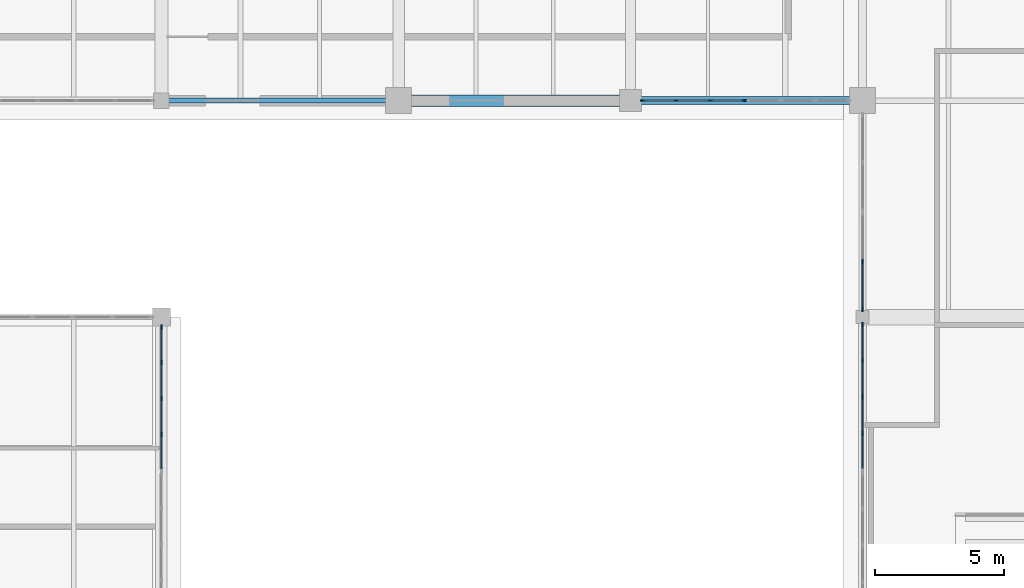
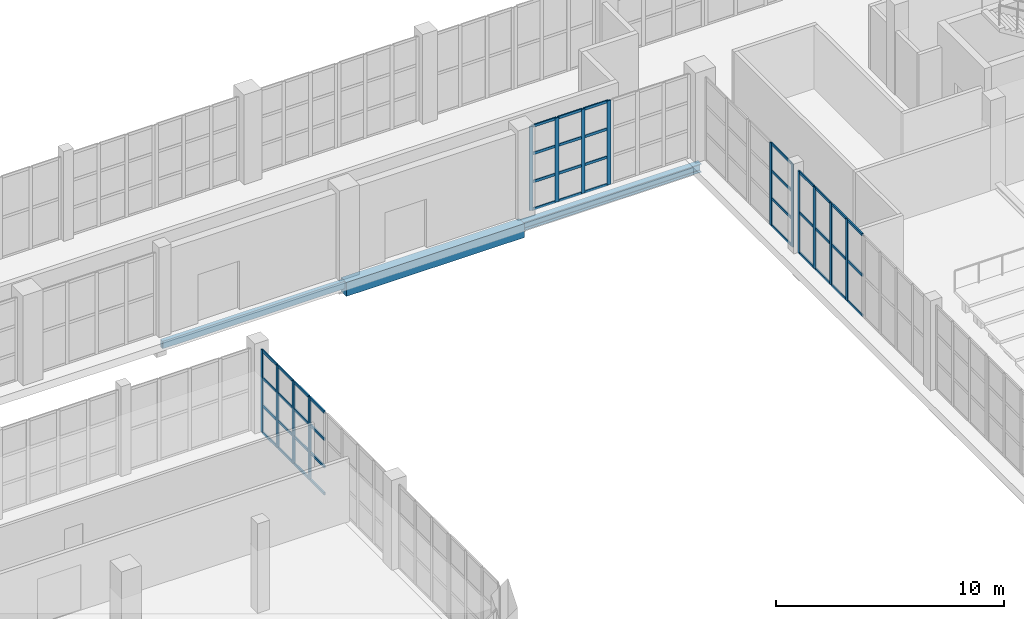
# One storey, part 49 of 121: 58 members, 3 beams, 4 elements without a shape of their own.
"""IFC4 building model written with IfcOpenShell, lengths in metres."""

from ifc_helpers import new_model, si_unit, direction, frame, origin, origin_2d, place, context, subcontext, project, spatial, rectangle, hollow_rectangle, i_section, extrude, material, layer, layer_set, material_profile, profile_set, type_object, element, aggregate, save


model = new_model("IFC4")

# Units and contexts
model_context = context("Model", 3, precision=1e-05, world=origin(), true_north=direction((0.0, 1.0)))
body_context = subcontext(model_context, "Body", "Model", "MODEL_VIEW")
ifc_project = project(units=[si_unit("LENGTHUNIT", "METRE"), si_unit("AREAUNIT", "SQUARE_METRE"), si_unit("VOLUMEUNIT", "CUBIC_METRE"), si_unit("PLANEANGLEUNIT", "RADIAN"), si_unit("MASSUNIT", "GRAM", prefix="KILO")], contexts=[model_context])

# Site, building, storey
site_placement = place(None, origin())
site = spatial("IfcSite", under=ifc_project, at=site_placement, CompositionType="ELEMENT")
building_placement = place(site_placement, origin())
building = spatial("IfcBuilding", under=site, at=building_placement, Name="Zereglee Splitstone Museum", CompositionType="ELEMENT")
storey_placement = place(building_placement, origin())
storey = spatial("IfcBuildingStorey", under=building, at=storey_placement, Name="L00", CompositionType="ELEMENT", Elevation=0.0)

# Curtain wall, members
ifc_material_1 = material(Name="Triple-glazed low-E argon glass and bronze-anodised aluminium", Category="aluminium")
ifc_layer_1 = layer(ifc_material_1, 0.179931640625)
ifc_layer_set_1 = layer_set([ifc_layer_1], Name="Triple-glazed low-E argon glass and bronze-anodised aluminium")
curtain_wall_type_1 = type_object("IfcCurtainWallType", Name="CW-0559-442", PredefinedType="USERDEFINED", material=ifc_layer_set_1)
curtain_wall_1_placement = place(storey_placement, origin())
curtain_wall_1 = element("IfcCurtainWall", 1, at=curtain_wall_1_placement, inside=storey, type_object=curtain_wall_type_1, Name="Glazed Curtain Wall CW-0559-442 (L00)", ObjectType="GLAZED CURTAIN WALL", PredefinedType="USERDEFINED")
ifc_material_2 = material(Name="Thermally broken bronze-anodised aluminium", Category="aluminium")
ifc_material_profile_1 = material_profile(ifc_material_2, rectangle(XDim=0.06494140625, YDim=0.179931640625, at=origin_2d()), Name="CW MULL 65x180")
ifc_profile_set_1 = profile_set([ifc_material_profile_1], Name="Thermally broken bronze-anodised aluminium")
member_type_1 = type_object("IfcMemberType", Name="CWM-01", PredefinedType="MULLION", material=ifc_profile_set_1)
member_1_placement = place(storey_placement, frame((228.800048828125, 17.0498046875, 0.0), z_axis=(0.0, 0.0, 1.0), x_axis=(-1.0, 0.0, 0.0)))
member_1 = element("IfcMember", 2, at=member_1_placement, type_object=member_type_1, Name="CW-0559-442 mullion 2", PredefinedType="MULLION", context=body_context, shape_type="SweptSolid", body=[
    extrude(rectangle(XDim=0.06494140625, YDim=0.179931640625, at=origin_2d()), origin(), (0.0, 0.0, 1.0), 4.419921875),
])
member_2_placement = place(storey_placement, frame((228.800048828125, 18.447265625, 0.0), z_axis=(0.0, 0.0, 1.0), x_axis=(-1.0, 0.0, 0.0)))
member_2 = element("IfcMember", 3, at=member_2_placement, type_object=member_type_1, Name="CW-0559-442 mullion 3", PredefinedType="MULLION", context=body_context, shape_type="SweptSolid", body=[
    extrude(rectangle(XDim=0.06494140625, YDim=0.179931640625, at=origin_2d()), origin(), (0.0, 0.0, 1.0), 4.419921875),
])
member_3_placement = place(storey_placement, frame((228.800048828125, 19.8447265625, 0.0), z_axis=(0.0, 0.0, 1.0), x_axis=(-1.0, 0.0, 0.0)))
member_3 = element("IfcMember", 4, at=member_3_placement, type_object=member_type_1, Name="CW-0559-442 mullion 4", PredefinedType="MULLION", context=body_context, shape_type="SweptSolid", body=[
    extrude(rectangle(XDim=0.06494140625, YDim=0.179931640625, at=origin_2d()), origin(), (0.0, 0.0, 1.0), 4.419921875),
])
member_4_placement = place(storey_placement, frame((228.800048828125, 21.20947265625, 0.0), z_axis=(0.0, 0.0, 1.0), x_axis=(-1.0, 0.0, 0.0)))
member_4 = element("IfcMember", 5, at=member_4_placement, type_object=member_type_1, Name="CW-0559-442 mullion 5", PredefinedType="MULLION", context=body_context, shape_type="SweptSolid", body=[
    extrude(rectangle(XDim=0.06494140625, YDim=0.179931640625, at=origin_2d()), origin(), (0.0, 0.0, 1.0), 4.419921875),
])

ifc_layer_2 = layer(ifc_material_1, 0.179931640625)
ifc_layer_set_2 = layer_set([ifc_layer_2], Name="Triple-glazed low-E argon glass and bronze-anodised aluminium")
curtain_wall_type_2 = type_object("IfcCurtainWallType", Name="CW-0399-450", PredefinedType="USERDEFINED", material=ifc_layer_set_2)
curtain_wall_2_placement = place(storey_placement, origin())
curtain_wall_2 = element("IfcCurtainWall", 6, at=curtain_wall_2_placement, inside=storey, type_object=curtain_wall_type_2, Name="Glazed Curtain Wall CW-0399-450 (L00)", ObjectType="GLAZED CURTAIN WALL", PredefinedType="USERDEFINED")
member_5_placement = place(storey_placement, frame((247.465576171875, 30.0, 0.0), z_axis=(0.0, 0.0, 1.0), x_axis=(0.0, 1.0, 0.0)))
member_5 = element("IfcMember", 7, at=member_5_placement, type_object=member_type_1, Name="CW-0399-450 mullion 1", PredefinedType="MULLION", context=body_context, shape_type="SweptSolid", body=[
    extrude(rectangle(XDim=0.06494140625, YDim=0.179931640625, at=origin_2d()), origin(), (0.0, 0.0, 1.0), 4.5),
])
member_6_placement = place(storey_placement, frame((248.762939453125, 30.0, 0.0), z_axis=(0.0, 0.0, 1.0), x_axis=(0.0, 1.0, 0.0)))
member_6 = element("IfcMember", 8, at=member_6_placement, type_object=member_type_1, Name="CW-0399-450 mullion 2", PredefinedType="MULLION", context=body_context, shape_type="SweptSolid", body=[
    extrude(rectangle(XDim=0.06494140625, YDim=0.179931640625, at=origin_2d()), origin(), (0.0, 0.0, 1.0), 4.5),
])
member_7_placement = place(storey_placement, frame((250.0927734375, 30.0, 0.0), z_axis=(0.0, 0.0, 1.0), x_axis=(0.0, 1.0, 0.0)))
member_7 = element("IfcMember", 9, at=member_7_placement, type_object=member_type_1, Name="CW-0399-450 mullion 3", PredefinedType="MULLION", context=body_context, shape_type="SweptSolid", body=[
    extrude(rectangle(XDim=0.06494140625, YDim=0.179931640625, at=origin_2d()), origin(), (0.0, 0.0, 1.0), 4.5),
])
member_8_placement = place(storey_placement, frame((251.389892578125, 30.0, 0.0), z_axis=(0.0, 0.0, 1.0), x_axis=(0.0, 1.0, 0.0)))
member_8 = element("IfcMember", 10, at=member_8_placement, type_object=member_type_1, Name="CW-0399-450 mullion 4", PredefinedType="MULLION", context=body_context, shape_type="SweptSolid", body=[
    extrude(rectangle(XDim=0.06494140625, YDim=0.179931640625, at=origin_2d()), origin(), (0.0, 0.0, 1.0), 4.5),
])

ifc_layer_3 = layer(ifc_material_1, 0.179931640625)
ifc_layer_set_3 = layer_set([ifc_layer_3], Name="Triple-glazed low-E argon glass and bronze-anodised aluminium")
curtain_wall_type_3 = type_object("IfcCurtainWallType", Name="CW-0378-442", PredefinedType="USERDEFINED", material=ifc_layer_set_3)
curtain_wall_3_placement = place(storey_placement, origin())
curtain_wall_3 = element("IfcCurtainWall", 11, at=curtain_wall_3_placement, inside=storey, type_object=curtain_wall_type_3, Name="Glazed Curtain Wall CW-0378-442 (L00)", ObjectType="GLAZED CURTAIN WALL", PredefinedType="USERDEFINED")
member_9_placement = place(storey_placement, frame((256.0, 23.74658203125, 0.0), z_axis=(0.0, 0.0, 1.0), x_axis=(1.0, 0.0, 0.0)))
member_9 = element("IfcMember", 12, at=member_9_placement, type_object=member_type_1, Name="CW-0378-442 mullion 2", PredefinedType="MULLION", context=body_context, shape_type="SweptSolid", body=[
    extrude(rectangle(XDim=0.06494140625, YDim=0.179931640625, at=origin_2d()), origin(), (0.0, 0.0, 1.0), 4.419921875),
])
member_10_placement = place(storey_placement, frame((256.0, 21.890380859375, 0.0), z_axis=(0.0, 0.0, 1.0), x_axis=(1.0, 0.0, 0.0)))
member_10 = element("IfcMember", 13, at=member_10_placement, type_object=member_type_1, Name="CW-0378-442 mullion 3", PredefinedType="MULLION", context=body_context, shape_type="SweptSolid", body=[
    extrude(rectangle(XDim=0.06494140625, YDim=0.179931640625, at=origin_2d()), origin(), (0.0, 0.0, 1.0), 4.419921875),
])

ifc_layer_4 = layer(ifc_material_1, 0.179931640625)
ifc_layer_set_4 = layer_set([ifc_layer_4], Name="Triple-glazed low-E argon glass and bronze-anodised aluminium")
curtain_wall_type_4 = type_object("IfcCurtainWallType", Name="CW-0568-438", PredefinedType="USERDEFINED", material=ifc_layer_set_4)
curtain_wall_4_placement = place(storey_placement, origin())
curtain_wall_4 = element("IfcCurtainWall", 14, at=curtain_wall_4_placement, inside=storey, type_object=curtain_wall_type_4, Name="Glazed Curtain Wall CW-0568-438 (L00)", ObjectType="GLAZED CURTAIN WALL", PredefinedType="USERDEFINED")
member_11_placement = place(storey_placement, frame((256.0, 21.3095703125, 0.0), z_axis=(0.0, 0.0, 1.0), x_axis=(1.0, 0.0, 0.0)))
member_11 = element("IfcMember", 15, at=member_11_placement, type_object=member_type_1, Name="CW-0568-438 mullion 1", PredefinedType="MULLION", context=body_context, shape_type="SweptSolid", body=[
    extrude(rectangle(XDim=0.06494140625, YDim=0.179931640625, at=origin_2d()), origin(), (0.0, 0.0, 1.0), 4.3798828125),
])
member_12_placement = place(storey_placement, frame((256.0, 19.9228515625, 0.0), z_axis=(0.0, 0.0, 1.0), x_axis=(1.0, 0.0, 0.0)))
member_12 = element("IfcMember", 16, at=member_12_placement, type_object=member_type_1, Name="CW-0568-438 mullion 2", PredefinedType="MULLION", context=body_context, shape_type="SweptSolid", body=[
    extrude(rectangle(XDim=0.06494140625, YDim=0.179931640625, at=origin_2d()), origin(), (0.0, 0.0, 1.0), 4.3798828125),
])
member_13_placement = place(storey_placement, frame((256.0, 18.50341796875, 0.0), z_axis=(0.0, 0.0, 1.0), x_axis=(1.0, 0.0, 0.0)))
member_13 = element("IfcMember", 17, at=member_13_placement, type_object=member_type_1, Name="CW-0568-438 mullion 3", PredefinedType="MULLION", context=body_context, shape_type="SweptSolid", body=[
    extrude(rectangle(XDim=0.06494140625, YDim=0.179931640625, at=origin_2d()), origin(), (0.0, 0.0, 1.0), 4.3798828125),
])
member_14_placement = place(storey_placement, frame((256.0, 17.084228515625, 0.0), z_axis=(0.0, 0.0, 1.0), x_axis=(1.0, 0.0, 0.0)))
member_14 = element("IfcMember", 18, at=member_14_placement, type_object=member_type_1, Name="CW-0568-438 mullion 4", PredefinedType="MULLION", context=body_context, shape_type="SweptSolid", body=[
    extrude(rectangle(XDim=0.06494140625, YDim=0.179931640625, at=origin_2d()), origin(), (0.0, 0.0, 1.0), 4.3798828125),
])

# Member
ifc_material_profile_2 = material_profile(ifc_material_2, rectangle(XDim=0.06494140625, YDim=0.139892578125, at=origin_2d()), Name="CW TRAN 65x140")
ifc_profile_set_2 = profile_set([ifc_material_profile_2], Name="Thermally broken bronze-anodised aluminium")
member_type_2 = type_object("IfcMemberType", Name="CWT-01", PredefinedType="USERDEFINED", material=ifc_profile_set_2)
member_15_placement = place(storey_placement, frame((228.800048828125, 15.717529296875, 0.032470703125), z_axis=(0.0, 1.0, 0.0), x_axis=(-1.0, 0.0, 0.0)))
member_15 = element("IfcMember", 19, at=member_15_placement, type_object=member_type_2, Name="CW-0559-442 transom 1.1", ObjectType="TRANSOM", PredefinedType="USERDEFINED", context=body_context, shape_type="SweptSolid", body=[
    extrude(rectangle(XDim=0.06494140625, YDim=0.139892578125, at=origin_2d()), origin(), (0.0, 0.0, 1.0), 1.2998046875),
])

member_16_placement = place(storey_placement, frame((228.800048828125, 15.717529296875, 1.473388671875), z_axis=(0.0, 1.0, 0.0), x_axis=(-1.0, 0.0, 0.0)))
member_16 = element("IfcMember", 20, at=member_16_placement, type_object=member_type_2, Name="CW-0559-442 transom 1.2", ObjectType="TRANSOM", PredefinedType="USERDEFINED", context=body_context, shape_type="SweptSolid", body=[
    extrude(rectangle(XDim=0.06494140625, YDim=0.139892578125, at=origin_2d()), origin(), (0.0, 0.0, 1.0), 1.2998046875),
])

member_17_placement = place(storey_placement, frame((228.800048828125, 15.717529296875, 2.94677734375), z_axis=(0.0, 1.0, 0.0), x_axis=(-1.0, 0.0, 0.0)))
member_17 = element("IfcMember", 21, at=member_17_placement, type_object=member_type_2, Name="CW-0559-442 transom 1.3", ObjectType="TRANSOM", PredefinedType="USERDEFINED", context=body_context, shape_type="SweptSolid", body=[
    extrude(rectangle(XDim=0.06494140625, YDim=0.139892578125, at=origin_2d()), origin(), (0.0, 0.0, 1.0), 1.2998046875),
])

member_18_placement = place(storey_placement, frame((228.800048828125, 15.717529296875, 4.387451171875), z_axis=(0.0, 1.0, 0.0), x_axis=(-1.0, 0.0, 0.0)))
member_18 = element("IfcMember", 22, at=member_18_placement, type_object=member_type_2, Name="CW-0559-442 transom 1.4", ObjectType="TRANSOM", PredefinedType="USERDEFINED", context=body_context, shape_type="SweptSolid", body=[
    extrude(rectangle(XDim=0.06494140625, YDim=0.139892578125, at=origin_2d()), origin(), (0.0, 0.0, 1.0), 1.2998046875),
])

member_19_placement = place(storey_placement, frame((228.800048828125, 17.082275390625, 0.032470703125), z_axis=(0.0, 1.0, 0.0), x_axis=(-1.0, 0.0, 0.0)))
member_19 = element("IfcMember", 23, at=member_19_placement, type_object=member_type_2, Name="CW-0559-442 transom 2.1", ObjectType="TRANSOM", PredefinedType="USERDEFINED", context=body_context, shape_type="SweptSolid", body=[
    extrude(rectangle(XDim=0.06494140625, YDim=0.139892578125, at=origin_2d()), origin(), (0.0, 0.0, 1.0), 1.33251953125),
])

member_20_placement = place(storey_placement, frame((228.800048828125, 17.082275390625, 1.473388671875), z_axis=(0.0, 1.0, 0.0), x_axis=(-1.0, 0.0, 0.0)))
member_20 = element("IfcMember", 24, at=member_20_placement, type_object=member_type_2, Name="CW-0559-442 transom 2.2", ObjectType="TRANSOM", PredefinedType="USERDEFINED", context=body_context, shape_type="SweptSolid", body=[
    extrude(rectangle(XDim=0.06494140625, YDim=0.139892578125, at=origin_2d()), origin(), (0.0, 0.0, 1.0), 1.33251953125),
])

member_21_placement = place(storey_placement, frame((228.800048828125, 17.082275390625, 2.94677734375), z_axis=(0.0, 1.0, 0.0), x_axis=(-1.0, 0.0, 0.0)))
member_21 = element("IfcMember", 25, at=member_21_placement, type_object=member_type_2, Name="CW-0559-442 transom 2.3", ObjectType="TRANSOM", PredefinedType="USERDEFINED", context=body_context, shape_type="SweptSolid", body=[
    extrude(rectangle(XDim=0.06494140625, YDim=0.139892578125, at=origin_2d()), origin(), (0.0, 0.0, 1.0), 1.33251953125),
])

member_22_placement = place(storey_placement, frame((228.800048828125, 17.082275390625, 4.387451171875), z_axis=(0.0, 1.0, 0.0), x_axis=(-1.0, 0.0, 0.0)))
member_22 = element("IfcMember", 26, at=member_22_placement, type_object=member_type_2, Name="CW-0559-442 transom 2.4", ObjectType="TRANSOM", PredefinedType="USERDEFINED", context=body_context, shape_type="SweptSolid", body=[
    extrude(rectangle(XDim=0.06494140625, YDim=0.139892578125, at=origin_2d()), origin(), (0.0, 0.0, 1.0), 1.33251953125),
])

member_23_placement = place(storey_placement, frame((228.800048828125, 18.479736328125, 0.032470703125), z_axis=(0.0, 1.0, 0.0), x_axis=(-1.0, 0.0, 0.0)))
member_23 = element("IfcMember", 27, at=member_23_placement, type_object=member_type_2, Name="CW-0559-442 transom 3.1", ObjectType="TRANSOM", PredefinedType="USERDEFINED", context=body_context, shape_type="SweptSolid", body=[
    extrude(rectangle(XDim=0.06494140625, YDim=0.139892578125, at=origin_2d()), origin(), (0.0, 0.0, 1.0), 1.332275390625),
])

member_24_placement = place(storey_placement, frame((228.800048828125, 18.479736328125, 1.473388671875), z_axis=(0.0, 1.0, 0.0), x_axis=(-1.0, 0.0, 0.0)))
member_24 = element("IfcMember", 28, at=member_24_placement, type_object=member_type_2, Name="CW-0559-442 transom 3.2", ObjectType="TRANSOM", PredefinedType="USERDEFINED", context=body_context, shape_type="SweptSolid", body=[
    extrude(rectangle(XDim=0.06494140625, YDim=0.139892578125, at=origin_2d()), origin(), (0.0, 0.0, 1.0), 1.332275390625),
])

member_25_placement = place(storey_placement, frame((228.800048828125, 18.479736328125, 2.94677734375), z_axis=(0.0, 1.0, 0.0), x_axis=(-1.0, 0.0, 0.0)))
member_25 = element("IfcMember", 29, at=member_25_placement, type_object=member_type_2, Name="CW-0559-442 transom 3.3", ObjectType="TRANSOM", PredefinedType="USERDEFINED", context=body_context, shape_type="SweptSolid", body=[
    extrude(rectangle(XDim=0.06494140625, YDim=0.139892578125, at=origin_2d()), origin(), (0.0, 0.0, 1.0), 1.332275390625),
])

member_26_placement = place(storey_placement, frame((228.800048828125, 18.479736328125, 4.387451171875), z_axis=(0.0, 1.0, 0.0), x_axis=(-1.0, 0.0, 0.0)))
member_26 = element("IfcMember", 30, at=member_26_placement, type_object=member_type_2, Name="CW-0559-442 transom 3.4", ObjectType="TRANSOM", PredefinedType="USERDEFINED", context=body_context, shape_type="SweptSolid", body=[
    extrude(rectangle(XDim=0.06494140625, YDim=0.139892578125, at=origin_2d()), origin(), (0.0, 0.0, 1.0), 1.332275390625),
])

member_27_placement = place(storey_placement, frame((228.800048828125, 19.877197265625, 0.032470703125), z_axis=(0.0, 1.0, 0.0), x_axis=(-1.0, 0.0, 0.0)))
member_27 = element("IfcMember", 31, at=member_27_placement, type_object=member_type_2, Name="CW-0559-442 transom 4.1", ObjectType="TRANSOM", PredefinedType="USERDEFINED", context=body_context, shape_type="SweptSolid", body=[
    extrude(rectangle(XDim=0.06494140625, YDim=0.139892578125, at=origin_2d()), origin(), (0.0, 0.0, 1.0), 1.2998046875),
])

member_28_placement = place(storey_placement, frame((228.800048828125, 19.877197265625, 1.473388671875), z_axis=(0.0, 1.0, 0.0), x_axis=(-1.0, 0.0, 0.0)))
member_28 = element("IfcMember", 32, at=member_28_placement, type_object=member_type_2, Name="CW-0559-442 transom 4.2", ObjectType="TRANSOM", PredefinedType="USERDEFINED", context=body_context, shape_type="SweptSolid", body=[
    extrude(rectangle(XDim=0.06494140625, YDim=0.139892578125, at=origin_2d()), origin(), (0.0, 0.0, 1.0), 1.2998046875),
])

member_29_placement = place(storey_placement, frame((228.800048828125, 19.877197265625, 2.94677734375), z_axis=(0.0, 1.0, 0.0), x_axis=(-1.0, 0.0, 0.0)))
member_29 = element("IfcMember", 33, at=member_29_placement, type_object=member_type_2, Name="CW-0559-442 transom 4.3", ObjectType="TRANSOM", PredefinedType="USERDEFINED", context=body_context, shape_type="SweptSolid", body=[
    extrude(rectangle(XDim=0.06494140625, YDim=0.139892578125, at=origin_2d()), origin(), (0.0, 0.0, 1.0), 1.2998046875),
])

member_30_placement = place(storey_placement, frame((228.800048828125, 19.877197265625, 4.387451171875), z_axis=(0.0, 1.0, 0.0), x_axis=(-1.0, 0.0, 0.0)))
member_30 = element("IfcMember", 34, at=member_30_placement, type_object=member_type_2, Name="CW-0559-442 transom 4.4", ObjectType="TRANSOM", PredefinedType="USERDEFINED", context=body_context, shape_type="SweptSolid", body=[
    extrude(rectangle(XDim=0.06494140625, YDim=0.139892578125, at=origin_2d()), origin(), (0.0, 0.0, 1.0), 1.2998046875),
])

aggregate(curtain_wall_1, [member_1, member_2, member_3, member_4, member_15, member_16, member_17, member_18, member_19, member_20, member_21, member_22, member_23, member_24, member_25, member_26, member_27, member_28, member_29, member_30])

member_31_placement = place(storey_placement, frame((247.498046875, 30.0, 0.032470703125), z_axis=(1.0, 0.0, 0.0), x_axis=(0.0, 1.0, 0.0)))
member_31 = element("IfcMember", 35, at=member_31_placement, type_object=member_type_2, Name="CW-0399-450 transom 1.1", ObjectType="TRANSOM", PredefinedType="USERDEFINED", context=body_context, shape_type="SweptSolid", body=[
    extrude(rectangle(XDim=0.06494140625, YDim=0.139892578125, at=origin_2d()), origin(), (0.0, 0.0, 1.0), 1.232177734375),
])

member_32_placement = place(storey_placement, frame((247.498046875, 30.0, 1.5), z_axis=(1.0, 0.0, 0.0), x_axis=(0.0, 1.0, 0.0)))
member_32 = element("IfcMember", 36, at=member_32_placement, type_object=member_type_2, Name="CW-0399-450 transom 1.2", ObjectType="TRANSOM", PredefinedType="USERDEFINED", context=body_context, shape_type="SweptSolid", body=[
    extrude(rectangle(XDim=0.06494140625, YDim=0.139892578125, at=origin_2d()), origin(), (0.0, 0.0, 1.0), 1.232177734375),
])

member_33_placement = place(storey_placement, frame((247.498046875, 30.0, 3.0), z_axis=(1.0, 0.0, 0.0), x_axis=(0.0, 1.0, 0.0)))
member_33 = element("IfcMember", 37, at=member_33_placement, type_object=member_type_2, Name="CW-0399-450 transom 1.3", ObjectType="TRANSOM", PredefinedType="USERDEFINED", context=body_context, shape_type="SweptSolid", body=[
    extrude(rectangle(XDim=0.06494140625, YDim=0.139892578125, at=origin_2d()), origin(), (0.0, 0.0, 1.0), 1.232177734375),
])

member_34_placement = place(storey_placement, frame((247.498046875, 30.0, 4.467529296875), z_axis=(1.0, 0.0, 0.0), x_axis=(0.0, 1.0, 0.0)))
member_34 = element("IfcMember", 38, at=member_34_placement, type_object=member_type_2, Name="CW-0399-450 transom 1.4", ObjectType="TRANSOM", PredefinedType="USERDEFINED", context=body_context, shape_type="SweptSolid", body=[
    extrude(rectangle(XDim=0.06494140625, YDim=0.139892578125, at=origin_2d()), origin(), (0.0, 0.0, 1.0), 1.232177734375),
])

member_35_placement = place(storey_placement, frame((248.79541015625, 30.0, 0.032470703125), z_axis=(1.0, 0.0, 0.0), x_axis=(0.0, 1.0, 0.0)))
member_35 = element("IfcMember", 39, at=member_35_placement, type_object=member_type_2, Name="CW-0399-450 transom 2.1", ObjectType="TRANSOM", PredefinedType="USERDEFINED", context=body_context, shape_type="SweptSolid", body=[
    extrude(rectangle(XDim=0.06494140625, YDim=0.139892578125, at=origin_2d()), origin(), (0.0, 0.0, 1.0), 1.2646484375),
])

member_36_placement = place(storey_placement, frame((248.79541015625, 30.0, 1.5), z_axis=(1.0, 0.0, 0.0), x_axis=(0.0, 1.0, 0.0)))
member_36 = element("IfcMember", 40, at=member_36_placement, type_object=member_type_2, Name="CW-0399-450 transom 2.2", ObjectType="TRANSOM", PredefinedType="USERDEFINED", context=body_context, shape_type="SweptSolid", body=[
    extrude(rectangle(XDim=0.06494140625, YDim=0.139892578125, at=origin_2d()), origin(), (0.0, 0.0, 1.0), 1.2646484375),
])

member_37_placement = place(storey_placement, frame((248.79541015625, 30.0, 3.0), z_axis=(1.0, 0.0, 0.0), x_axis=(0.0, 1.0, 0.0)))
member_37 = element("IfcMember", 41, at=member_37_placement, type_object=member_type_2, Name="CW-0399-450 transom 2.3", ObjectType="TRANSOM", PredefinedType="USERDEFINED", context=body_context, shape_type="SweptSolid", body=[
    extrude(rectangle(XDim=0.06494140625, YDim=0.139892578125, at=origin_2d()), origin(), (0.0, 0.0, 1.0), 1.2646484375),
])

member_38_placement = place(storey_placement, frame((248.79541015625, 30.0, 4.467529296875), z_axis=(1.0, 0.0, 0.0), x_axis=(0.0, 1.0, 0.0)))
member_38 = element("IfcMember", 42, at=member_38_placement, type_object=member_type_2, Name="CW-0399-450 transom 2.4", ObjectType="TRANSOM", PredefinedType="USERDEFINED", context=body_context, shape_type="SweptSolid", body=[
    extrude(rectangle(XDim=0.06494140625, YDim=0.139892578125, at=origin_2d()), origin(), (0.0, 0.0, 1.0), 1.2646484375),
])

member_39_placement = place(storey_placement, frame((250.125244140625, 30.0, 0.032470703125), z_axis=(1.0, 0.0, 0.0), x_axis=(0.0, 1.0, 0.0)))
member_39 = element("IfcMember", 43, at=member_39_placement, type_object=member_type_2, Name="CW-0399-450 transom 3.1", ObjectType="TRANSOM", PredefinedType="USERDEFINED", context=body_context, shape_type="SweptSolid", body=[
    extrude(rectangle(XDim=0.06494140625, YDim=0.139892578125, at=origin_2d()), origin(), (0.0, 0.0, 1.0), 1.232177734375),
])

member_40_placement = place(storey_placement, frame((250.125244140625, 30.0, 1.5), z_axis=(1.0, 0.0, 0.0), x_axis=(0.0, 1.0, 0.0)))
member_40 = element("IfcMember", 44, at=member_40_placement, type_object=member_type_2, Name="CW-0399-450 transom 3.2", ObjectType="TRANSOM", PredefinedType="USERDEFINED", context=body_context, shape_type="SweptSolid", body=[
    extrude(rectangle(XDim=0.06494140625, YDim=0.139892578125, at=origin_2d()), origin(), (0.0, 0.0, 1.0), 1.232177734375),
])

member_41_placement = place(storey_placement, frame((250.125244140625, 30.0, 3.0), z_axis=(1.0, 0.0, 0.0), x_axis=(0.0, 1.0, 0.0)))
member_41 = element("IfcMember", 45, at=member_41_placement, type_object=member_type_2, Name="CW-0399-450 transom 3.3", ObjectType="TRANSOM", PredefinedType="USERDEFINED", context=body_context, shape_type="SweptSolid", body=[
    extrude(rectangle(XDim=0.06494140625, YDim=0.139892578125, at=origin_2d()), origin(), (0.0, 0.0, 1.0), 1.232177734375),
])

member_42_placement = place(storey_placement, frame((250.125244140625, 30.0, 4.467529296875), z_axis=(1.0, 0.0, 0.0), x_axis=(0.0, 1.0, 0.0)))
member_42 = element("IfcMember", 46, at=member_42_placement, type_object=member_type_2, Name="CW-0399-450 transom 3.4", ObjectType="TRANSOM", PredefinedType="USERDEFINED", context=body_context, shape_type="SweptSolid", body=[
    extrude(rectangle(XDim=0.06494140625, YDim=0.139892578125, at=origin_2d()), origin(), (0.0, 0.0, 1.0), 1.232177734375),
])

aggregate(curtain_wall_2, [member_5, member_6, member_7, member_8, member_31, member_32, member_33, member_34, member_35, member_36, member_37, member_38, member_39, member_40, member_41, member_42])

member_43_placement = place(storey_placement, frame((256.0, 23.714111328125, 0.032470703125), z_axis=(0.0, -1.0, 0.0), x_axis=(1.0, 0.0, 0.0)))
member_43 = element("IfcMember", 47, at=member_43_placement, type_object=member_type_2, Name="CW-0378-442 transom 2.1", ObjectType="TRANSOM", PredefinedType="USERDEFINED", context=body_context, shape_type="SweptSolid", body=[
    extrude(rectangle(XDim=0.06494140625, YDim=0.139892578125, at=origin_2d()), origin(), (0.0, 0.0, 1.0), 1.791015625),
])

member_44_placement = place(storey_placement, frame((256.0, 23.714111328125, 1.473388671875), z_axis=(0.0, -1.0, 0.0), x_axis=(1.0, 0.0, 0.0)))
member_44 = element("IfcMember", 48, at=member_44_placement, type_object=member_type_2, Name="CW-0378-442 transom 2.2", ObjectType="TRANSOM", PredefinedType="USERDEFINED", context=body_context, shape_type="SweptSolid", body=[
    extrude(rectangle(XDim=0.06494140625, YDim=0.139892578125, at=origin_2d()), origin(), (0.0, 0.0, 1.0), 1.791015625),
])

member_45_placement = place(storey_placement, frame((256.0, 23.714111328125, 2.94677734375), z_axis=(0.0, -1.0, 0.0), x_axis=(1.0, 0.0, 0.0)))
member_45 = element("IfcMember", 49, at=member_45_placement, type_object=member_type_2, Name="CW-0378-442 transom 2.3", ObjectType="TRANSOM", PredefinedType="USERDEFINED", context=body_context, shape_type="SweptSolid", body=[
    extrude(rectangle(XDim=0.06494140625, YDim=0.139892578125, at=origin_2d()), origin(), (0.0, 0.0, 1.0), 1.791015625),
])

member_46_placement = place(storey_placement, frame((256.0, 23.714111328125, 4.387451171875), z_axis=(0.0, -1.0, 0.0), x_axis=(1.0, 0.0, 0.0)))
member_46 = element("IfcMember", 50, at=member_46_placement, type_object=member_type_2, Name="CW-0378-442 transom 2.4", ObjectType="TRANSOM", PredefinedType="USERDEFINED", context=body_context, shape_type="SweptSolid", body=[
    extrude(rectangle(XDim=0.06494140625, YDim=0.139892578125, at=origin_2d()), origin(), (0.0, 0.0, 1.0), 1.791015625),
])

aggregate(curtain_wall_3, [member_9, member_10, member_43, member_44, member_45, member_46])

member_47_placement = place(storey_placement, frame((256.0, 21.277099609375, 0.032470703125), z_axis=(0.0, -1.0, 0.0), x_axis=(1.0, 0.0, 0.0)))
member_47 = element("IfcMember", 51, at=member_47_placement, type_object=member_type_2, Name="CW-0568-438 transom 1.1", ObjectType="TRANSOM", PredefinedType="USERDEFINED", context=body_context, shape_type="SweptSolid", body=[
    extrude(rectangle(XDim=0.06494140625, YDim=0.139892578125, at=origin_2d()), origin(), (0.0, 0.0, 1.0), 1.32177734375),
])

member_48_placement = place(storey_placement, frame((256.0, 21.277099609375, 2.18994140625), z_axis=(0.0, -1.0, 0.0), x_axis=(1.0, 0.0, 0.0)))
member_48 = element("IfcMember", 52, at=member_48_placement, type_object=member_type_2, Name="CW-0568-438 transom 1.2", ObjectType="TRANSOM", PredefinedType="USERDEFINED", context=body_context, shape_type="SweptSolid", body=[
    extrude(rectangle(XDim=0.06494140625, YDim=0.139892578125, at=origin_2d()), origin(), (0.0, 0.0, 1.0), 1.32177734375),
])

member_49_placement = place(storey_placement, frame((256.0, 21.277099609375, 4.347412109375), z_axis=(0.0, -1.0, 0.0), x_axis=(1.0, 0.0, 0.0)))
member_49 = element("IfcMember", 53, at=member_49_placement, type_object=member_type_2, Name="CW-0568-438 transom 1.3", ObjectType="TRANSOM", PredefinedType="USERDEFINED", context=body_context, shape_type="SweptSolid", body=[
    extrude(rectangle(XDim=0.06494140625, YDim=0.139892578125, at=origin_2d()), origin(), (0.0, 0.0, 1.0), 1.32177734375),
])

member_50_placement = place(storey_placement, frame((256.0, 19.89013671875, 0.032470703125), z_axis=(0.0, -1.0, 0.0), x_axis=(1.0, 0.0, 0.0)))
member_50 = element("IfcMember", 54, at=member_50_placement, type_object=member_type_2, Name="CW-0568-438 transom 2.1", ObjectType="TRANSOM", PredefinedType="USERDEFINED", context=body_context, shape_type="SweptSolid", body=[
    extrude(rectangle(XDim=0.06494140625, YDim=0.139892578125, at=origin_2d()), origin(), (0.0, 0.0, 1.0), 1.354248046875),
])

member_51_placement = place(storey_placement, frame((256.0, 19.89013671875, 2.18994140625), z_axis=(0.0, -1.0, 0.0), x_axis=(1.0, 0.0, 0.0)))
member_51 = element("IfcMember", 55, at=member_51_placement, type_object=member_type_2, Name="CW-0568-438 transom 2.2", ObjectType="TRANSOM", PredefinedType="USERDEFINED", context=body_context, shape_type="SweptSolid", body=[
    extrude(rectangle(XDim=0.06494140625, YDim=0.139892578125, at=origin_2d()), origin(), (0.0, 0.0, 1.0), 1.354248046875),
])

member_52_placement = place(storey_placement, frame((256.0, 19.89013671875, 4.347412109375), z_axis=(0.0, -1.0, 0.0), x_axis=(1.0, 0.0, 0.0)))
member_52 = element("IfcMember", 56, at=member_52_placement, type_object=member_type_2, Name="CW-0568-438 transom 2.3", ObjectType="TRANSOM", PredefinedType="USERDEFINED", context=body_context, shape_type="SweptSolid", body=[
    extrude(rectangle(XDim=0.06494140625, YDim=0.139892578125, at=origin_2d()), origin(), (0.0, 0.0, 1.0), 1.354248046875),
])

member_53_placement = place(storey_placement, frame((256.0, 18.470947265625, 0.032470703125), z_axis=(0.0, -1.0, 0.0), x_axis=(1.0, 0.0, 0.0)))
member_53 = element("IfcMember", 57, at=member_53_placement, type_object=member_type_2, Name="CW-0568-438 transom 3.1", ObjectType="TRANSOM", PredefinedType="USERDEFINED", context=body_context, shape_type="SweptSolid", body=[
    extrude(rectangle(XDim=0.06494140625, YDim=0.139892578125, at=origin_2d()), origin(), (0.0, 0.0, 1.0), 1.354248046875),
])

member_54_placement = place(storey_placement, frame((256.0, 18.470947265625, 2.18994140625), z_axis=(0.0, -1.0, 0.0), x_axis=(1.0, 0.0, 0.0)))
member_54 = element("IfcMember", 58, at=member_54_placement, type_object=member_type_2, Name="CW-0568-438 transom 3.2", ObjectType="TRANSOM", PredefinedType="USERDEFINED", context=body_context, shape_type="SweptSolid", body=[
    extrude(rectangle(XDim=0.06494140625, YDim=0.139892578125, at=origin_2d()), origin(), (0.0, 0.0, 1.0), 1.354248046875),
])

member_55_placement = place(storey_placement, frame((256.0, 18.470947265625, 4.347412109375), z_axis=(0.0, -1.0, 0.0), x_axis=(1.0, 0.0, 0.0)))
member_55 = element("IfcMember", 59, at=member_55_placement, type_object=member_type_2, Name="CW-0568-438 transom 3.3", ObjectType="TRANSOM", PredefinedType="USERDEFINED", context=body_context, shape_type="SweptSolid", body=[
    extrude(rectangle(XDim=0.06494140625, YDim=0.139892578125, at=origin_2d()), origin(), (0.0, 0.0, 1.0), 1.354248046875),
])

member_56_placement = place(storey_placement, frame((256.0, 17.0517578125, 0.032470703125), z_axis=(0.0, -1.0, 0.0), x_axis=(1.0, 0.0, 0.0)))
member_56 = element("IfcMember", 60, at=member_56_placement, type_object=member_type_2, Name="CW-0568-438 transom 4.1", ObjectType="TRANSOM", PredefinedType="USERDEFINED", context=body_context, shape_type="SweptSolid", body=[
    extrude(rectangle(XDim=0.06494140625, YDim=0.139892578125, at=origin_2d()), origin(), (0.0, 0.0, 1.0), 1.32177734375),
])

member_57_placement = place(storey_placement, frame((256.0, 17.0517578125, 2.18994140625), z_axis=(0.0, -1.0, 0.0), x_axis=(1.0, 0.0, 0.0)))
member_57 = element("IfcMember", 61, at=member_57_placement, type_object=member_type_2, Name="CW-0568-438 transom 4.2", ObjectType="TRANSOM", PredefinedType="USERDEFINED", context=body_context, shape_type="SweptSolid", body=[
    extrude(rectangle(XDim=0.06494140625, YDim=0.139892578125, at=origin_2d()), origin(), (0.0, 0.0, 1.0), 1.32177734375),
])

member_58_placement = place(storey_placement, frame((256.0, 17.0517578125, 4.347412109375), z_axis=(0.0, -1.0, 0.0), x_axis=(1.0, 0.0, 0.0)))
member_58 = element("IfcMember", 62, at=member_58_placement, type_object=member_type_2, Name="CW-0568-438 transom 4.3", ObjectType="TRANSOM", PredefinedType="USERDEFINED", context=body_context, shape_type="SweptSolid", body=[
    extrude(rectangle(XDim=0.06494140625, YDim=0.139892578125, at=origin_2d()), origin(), (0.0, 0.0, 1.0), 1.32177734375),
])

aggregate(curtain_wall_4, [member_11, member_12, member_13, member_14, member_47, member_48, member_49, member_50, member_51, member_52, member_53, member_54, member_55, member_56, member_57, member_58])

# Beams
ifc_material_3 = material(Name="Steel S355J2", Category="steel")
ifc_material_profile_3 = material_profile(ifc_material_3, i_section(OverallWidth=0.300048828125, OverallDepth=0.449951171875, WebThickness=0.013916015625, FlangeThickness=0.02587890625, FilletRadius=0.027099609375, at=origin_2d()), Name="HE 450 B")
ifc_profile_set_3 = profile_set([ifc_material_profile_3], Name="Steel S355J2")
beam_type_1 = type_object("IfcBeamType", Name="SP-02", PredefinedType="SPANDREL", material=ifc_profile_set_3)
beam_1_placement = place(storey_placement, frame((247.0, 30.0, -0.64501953125), z_axis=(1.0, 0.0, 0.0), x_axis=(0.0, 1.0, 0.0)))
element("IfcBeam", 63, at=beam_1_placement, inside=storey, type_object=beam_type_1, Name="Primary Girder L00 D (247.0-256.0)", PredefinedType="SPANDREL", context=body_context, shape_type="SweptSolid", body=[
    extrude(i_section(OverallWidth=0.300048828125, OverallDepth=0.449951171875, WebThickness=0.013916015625, FlangeThickness=0.02587890625, FilletRadius=0.027099609375, at=origin_2d()), origin(), (0.0, 0.0, 1.0), 9.0),
])
ifc_material_4 = material(Name="Concrete C40/50", Category="concrete")
ifc_material_profile_4 = material_profile(ifc_material_4, rectangle(XDim=0.449951171875, YDim=0.75, at=origin_2d()), Name="RC 450x750")
ifc_profile_set_4 = profile_set([ifc_material_profile_4], Name="Concrete C40/50")
beam_type_2 = type_object("IfcBeamType", Name="SP-01", PredefinedType="SPANDREL", material=ifc_profile_set_4)
beam_2_placement = place(storey_placement, frame((238.0, 30.0, -0.794921875), z_axis=(1.0, 0.0, 0.0), x_axis=(0.0, 1.0, 0.0)))
element("IfcBeam", 64, at=beam_2_placement, inside=storey, type_object=beam_type_2, Name="Primary Girder L00 D (238.0-247.0)", PredefinedType="SPANDREL", context=body_context, shape_type="SweptSolid", body=[
    extrude(rectangle(XDim=0.449951171875, YDim=0.75, at=origin_2d()), origin(), (0.0, 0.0, 1.0), 9.0),
])
ifc_material_5 = material(Name="Steel S355J2H", Category="steel")
ifc_material_profile_5 = material_profile(ifc_material_5, hollow_rectangle(XDim=0.199951171875, YDim=0.39990234375, WallThickness=0.01611328125, at=origin_2d()), Name="RHS 400x200x16")
ifc_profile_set_5 = profile_set([ifc_material_profile_5], Name="Steel S355J2H")
beam_type_3 = type_object("IfcBeamType", Name="SP-04", PredefinedType="SPANDREL", material=ifc_profile_set_5)
beam_3_placement = place(storey_placement, frame((228.800048828125, 30.0, -0.6201171875), z_axis=(1.0, 0.0, 0.0), x_axis=(0.0, 1.0, 0.0)))
element("IfcBeam", 65, at=beam_3_placement, inside=storey, type_object=beam_type_3, Name="Primary Girder L00 D (228.8-238.0)", PredefinedType="SPANDREL", context=body_context, shape_type="SweptSolid", body=[
    extrude(hollow_rectangle(XDim=0.199951171875, YDim=0.39990234375, WallThickness=0.01611328125, at=origin_2d()), origin(), (0.0, 0.0, 1.0), 9.199951171875),
])

save(model, "model.ifc")
